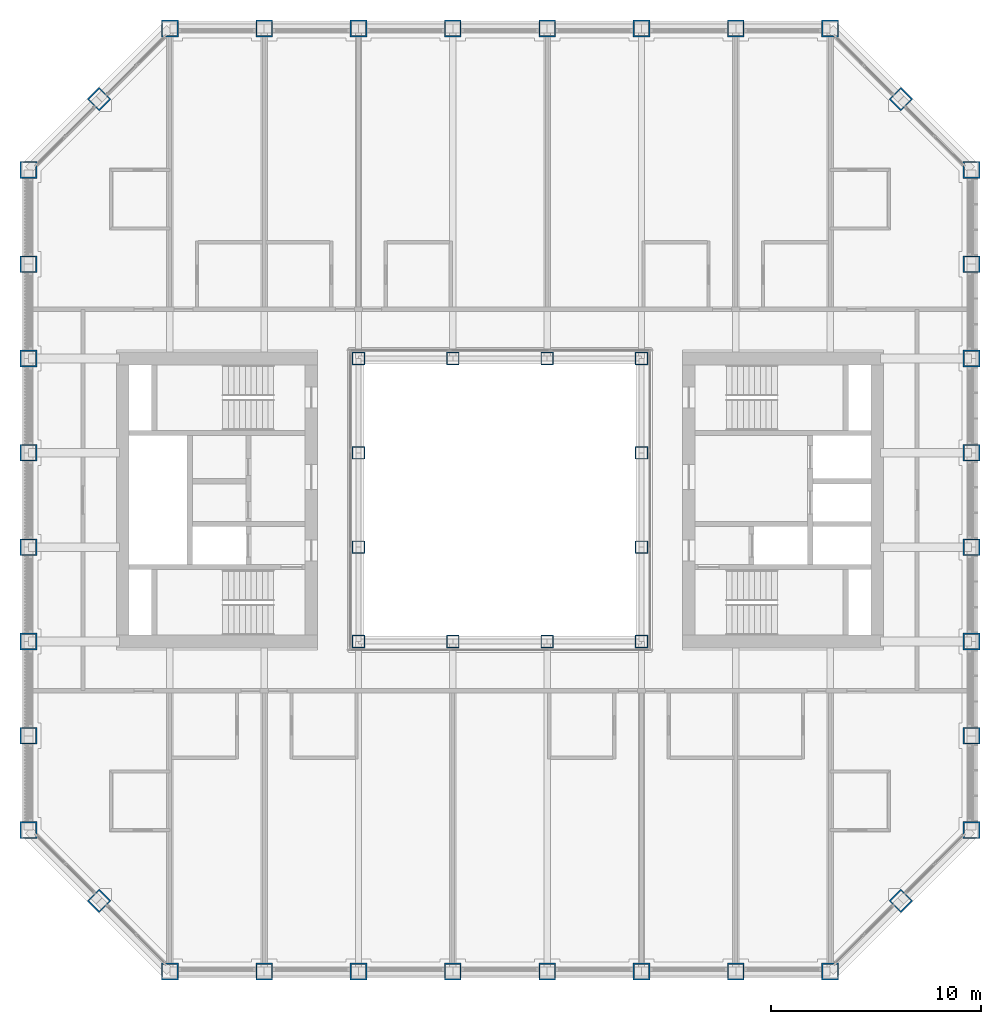
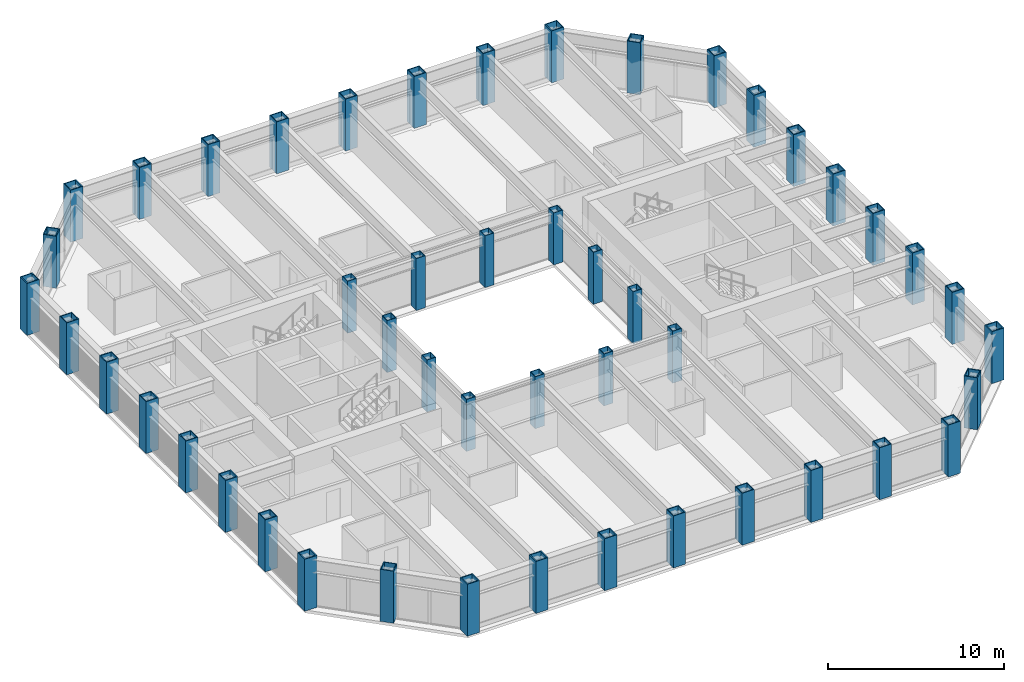
# One storey, part 1 of 17: 48 columns.
"""IFC4 building model written with IfcOpenShell, lengths in metres."""

import ifcopenshell
import ifcopenshell.guid

model = None  # the IFC model being written
_history = None  # IfcOwnerHistory: only IFC2X3 demands one
_inside = {}  # id of a spatial element -> (the spatial element, [elements in it])
_under = {}  # id of a project, library or spatial element -> (it, [spatial elements below it])
_declared = {}  # id of a project -> (the project, [libraries it declares])
_typed = {}  # id of a type object -> (the type object, [elements of that type])
_made_of = {}  # id of a material, layer set ... -> (it, [elements and type objects made of it])


def new_model(schema):
    """Start an empty IFC model of exactly this schema.

    Asked for "IFC4X3", IfcOpenShell would pick the latest addendum, in which some entities
    have other attributes; the version numbers below select the first issue.
    IFC2X3 requires an IfcOwnerHistory on every rooted entity: one is made here for all.
    """
    global model, _history
    if schema == "IFC4X3":
        model = ifcopenshell.file(schema_version=(4, 3, 0, 0))
    else:
        model = ifcopenshell.file(schema=schema)
    _inside.clear()
    _under.clear()
    _declared.clear()
    _typed.clear()
    _made_of.clear()
    _history = None
    if model.schema == "IFC2X3":
        org = make("IfcOrganization", Name="unknown")
        user = make(
            "IfcPersonAndOrganization",
            ThePerson=make("IfcPerson", FamilyName="unknown"),
            TheOrganization=org,
        )
        app = make(
            "IfcApplication",
            ApplicationDeveloper=org,
            Version="unknown",
            ApplicationFullName="unknown",
            ApplicationIdentifier="unknown",
        )
        _history = make(
            "IfcOwnerHistory",
            OwningUser=user,
            OwningApplication=app,
            ChangeAction="ADDED",
            CreationDate=0,
        )
    return model


def make(cls, **values):
    """One entity of the class cls with the attributes given. An attribute that is None is left unset."""
    return model.create_entity(
        cls, **{name: value for name, value in values.items() if value is not None}
    )


def rooted(cls, **values):
    """An entity with a GlobalId (a new one), such as an element, a storey or a relation."""
    return make(cls, GlobalId=ifcopenshell.guid.new(), OwnerHistory=_history, **values)


def si_unit(unit_type, name, prefix=None):
    """IfcSIUnit, for example si_unit("LENGTHUNIT", "METRE", prefix="MILLI")."""
    return make("IfcSIUnit", UnitType=unit_type, Prefix=prefix, Name=name)


def assignment(units):
    """IfcUnitAssignment: the units of a project."""
    return None if units is None else make("IfcUnitAssignment", Units=units)


def point(xyz):
    """IfcCartesianPoint."""
    return None if xyz is None else make("IfcCartesianPoint", Coordinates=xyz)


def direction(xyz):
    """IfcDirection."""
    return None if xyz is None else make("IfcDirection", DirectionRatios=xyz)


def frame(location, z_axis=None, x_axis=None):
    """IfcAxis2Placement3D, a coordinate frame: its origin and axes. An axis left out is left unset."""
    return make(
        "IfcAxis2Placement3D",
        Location=point(location),
        Axis=direction(z_axis),
        RefDirection=direction(x_axis),
    )


def frame_2d(location, x_axis=None):
    """IfcAxis2Placement2D, a coordinate frame in the plane: its origin and x axis."""
    return make(
        "IfcAxis2Placement2D", Location=point(location), RefDirection=direction(x_axis)
    )


def origin():
    """The frame at (0, 0, 0) with its axes left unset."""
    return frame((0.0, 0.0, 0.0))


def origin_2d():
    """The frame at (0, 0) in the plane with its x axis left unset."""
    return frame_2d((0.0, 0.0))


def place(relative_to, where):
    """IfcLocalPlacement: puts the frame where relative to a parent placement (None: the world)."""
    return make(
        "IfcLocalPlacement", PlacementRelTo=relative_to, RelativePlacement=where
    )


def context(
    kind, dimensions, precision=None, world=None, true_north=None, identifier=None
):
    """IfcGeometricRepresentationContext, for example the 3D "Model" context."""
    return make(
        "IfcGeometricRepresentationContext",
        ContextIdentifier=identifier,
        ContextType=kind,
        CoordinateSpaceDimension=dimensions,
        Precision=precision,
        WorldCoordinateSystem=world,
        TrueNorth=true_north,
    )


def subcontext(parent, identifier, kind, view, scale=None):
    """IfcGeometricRepresentationSubContext, for example "Body" below "Model"."""
    return make(
        "IfcGeometricRepresentationSubContext",
        ContextIdentifier=identifier,
        ContextType=kind,
        ParentContext=parent,
        TargetScale=scale,
        TargetView=view,
    )


def project(units=None, contexts=None):
    """IfcProject with its units and contexts."""
    return rooted(
        "IfcProject",
        Name="project",
        RepresentationContexts=contexts,
        UnitsInContext=assignment(units),
    )


def spatial(cls, under=None, at=None, **own):
    """A site, building, storey or space (cls), placed at a placement, below another one or the project."""
    s = rooted(cls, ObjectPlacement=at, **own)
    if under is not None:
        _under.setdefault(under.id(), (under, []))[1].append(s)
    return s


def profile(cls, at=None, kind="AREA", **sizes):
    """A parametric profile (cls). Its sizes go by their IFC names, for example OverallWidth=200.0."""
    return make(cls, ProfileType=kind, Position=at, **sizes)


def hollow_rectangle(**sizes):
    """IfcRectangleHollowProfileDef."""
    return profile("IfcRectangleHollowProfileDef", **sizes)


def extrude(swept, where, along, depth):
    """IfcExtrudedAreaSolid: the profile swept, set in the frame where, extruded along a direction by depth."""
    return make(
        "IfcExtrudedAreaSolid",
        SweptArea=swept,
        Position=where,
        ExtrudedDirection=direction(along),
        Depth=depth,
    )


def shape(context_of_items, identifier, shape_type, items):
    """IfcShapeRepresentation: the items that make up one representation, for example the "Body"."""
    return make(
        "IfcShapeRepresentation",
        ContextOfItems=context_of_items,
        RepresentationIdentifier=identifier,
        RepresentationType=shape_type,
        Items=items,
    )


def material(Name=None, Category=None):
    """IfcMaterial."""
    return make("IfcMaterial", Name=Name, Category=Category)


def material_profile(
    of_material, cross_section, Name=None, Category=None, Priority=None
):
    """IfcMaterialProfile: a cross section and its material."""
    return make(
        "IfcMaterialProfile",
        Name=Name,
        Material=of_material,
        Profile=cross_section,
        Priority=Priority,
        Category=Category,
    )


def profile_set(profiles, Name=None, composite=None):
    """IfcMaterialProfileSet."""
    return make(
        "IfcMaterialProfileSet",
        Name=Name,
        MaterialProfiles=profiles,
        CompositeProfile=composite,
    )


def made_of(thing, what):
    """Note that an element or type object is made of a material, layer set ...; save() writes the relation."""
    if what is not None:
        _made_of.setdefault(what.id(), (what, []))[1].append(thing)
    return thing


def type_object(cls, material=None, **own):
    """A type object (cls), such as IfcWallType, which elements share."""
    return made_of(rooted(cls, **own), material)


def element(
    cls,
    number,
    at=None,
    inside=None,
    cuts=None,
    type_object=None,
    material=None,
    context=None,
    identifier="Body",
    shape_type=None,
    held_by="IfcProductDefinitionShape",
    body=None,
    shapes=None,
    **own,
):
    """One element of the class cls, such as IfcWall. Its Tag is "e" and its number.

    at: its placement. inside: the storey or other place that contains it. cuts: it is an
    opening in that element (IfcRelVoidsElement). A single representation is given by context,
    identifier, shape_type and body (its items); several are given by shapes. held_by: the class
    of the entity that holds the representations. save() writes the other relations.
    """
    e = rooted(cls, Tag="e%d" % number, ObjectPlacement=at, **own)
    if body is not None:
        shapes = [shape(context, identifier, shape_type, body)]
    if shapes is not None:
        e.Representation = make(held_by, Representations=shapes)
    if inside is not None:
        _inside.setdefault(inside.id(), (inside, []))[1].append(e)
    if cuts is not None:
        rooted(
            "IfcRelVoidsElement", RelatingBuildingElement=cuts, RelatedOpeningElement=e
        )
    if type_object is not None:
        _typed.setdefault(type_object.id(), (type_object, []))[1].append(e)
    return made_of(e, material)


def aggregate(whole, parts):
    """IfcRelAggregates: a whole, such as a stair, and the parts it consists of."""
    return rooted("IfcRelAggregates", RelatingObject=whole, RelatedObjects=parts)


def save(model, path):
    """Write the relations noted so far, then the file.

    IfcRelAggregates (storeys below a building ...), IfcRelContainedInSpatialStructure (elements
    in a storey), IfcRelDefinesByType, IfcRelAssociatesMaterial and IfcRelDeclares: one each for
    every whole, place, type object, material and project.
    """
    for whole, parts in _under.values():
        aggregate(whole, parts)
    for where, things in _inside.values():
        rooted(
            "IfcRelContainedInSpatialStructure",
            RelatedElements=things,
            RelatingStructure=where,
        )
    for kind, things in _typed.values():
        rooted("IfcRelDefinesByType", RelatedObjects=things, RelatingType=kind)
    for what, things in _made_of.values():
        rooted("IfcRelAssociatesMaterial", RelatedObjects=things, RelatingMaterial=what)
    for by, libraries in _declared.values():
        rooted("IfcRelDeclares", RelatingContext=by, RelatedDefinitions=libraries)
    model.write(path)


model = new_model("IFC4")

# Units and contexts
model_context = context("Model", 3, precision=1e-05, world=origin(), true_north=direction((0.0, 1.0)))
body_context = subcontext(model_context, "Body", "Model", "MODEL_VIEW")
ifc_project = project(units=[si_unit("LENGTHUNIT", "METRE"), si_unit("AREAUNIT", "SQUARE_METRE"), si_unit("VOLUMEUNIT", "CUBIC_METRE"), si_unit("PLANEANGLEUNIT", "RADIAN"), si_unit("MASSUNIT", "GRAM", prefix="KILO")], contexts=[model_context])

# Site, building, storey
site_placement = place(None, origin())
site = spatial("IfcSite", under=ifc_project, at=site_placement, CompositionType="ELEMENT")
building_placement = place(site_placement, origin())
building = spatial("IfcBuilding", under=site, at=building_placement, Name="Msasa Ring Tower", CompositionType="ELEMENT")
storey_placement = place(building_placement, frame((0.0, 0.0, 132.800048828125)))
storey = spatial("IfcBuildingStorey", under=building, at=storey_placement, Name="L34", CompositionType="ELEMENT", Elevation=132.800048828125)

# Columns
ifc_material_1 = material(Name="Steel S355", Category="steel")
ifc_material_profile_1 = material_profile(ifc_material_1, hollow_rectangle(XDim=0.60009765625, YDim=0.60009765625, WallThickness=0.0400390625, at=origin_2d()), Name="BOX 600x600x40")
ifc_profile_set_1 = profile_set([ifc_material_profile_1], Name="Steel S355")
column_type_1 = type_object("IfcColumnType", Name="IC4 BOX 600x600x40", PredefinedType="COLUMN", material=ifc_profile_set_1)
for number, where, z_axis, x_axis, name in (
    (1, (-6.75, -6.75, 0.0), (0.0, 0.0, 1.0), (1.0, 0.0, 0.0), "Inner ring column IR-6.75-6.75 L34"),
    (2, (-6.75, -2.25, 0.0), (0.0, 0.0, 1.0), (1.0, 0.0, 0.0), "Inner ring column IR-6.75-2.25 L34"),
    (3, (-6.75, 2.25, 0.0), (0.0, 0.0, 1.0), (1.0, 0.0, 0.0), "Inner ring column IR-6.75+2.25 L34"),
    (4, (-6.75, 6.75, 0.0), (0.0, 0.0, 1.0), (1.0, 0.0, 0.0), "Inner ring column IR-6.75+6.75 L34"),
    (5, (-2.25, -6.75, 0.0), (0.0, 0.0, 1.0), (1.0, 0.0, 0.0), "Inner ring column IR-2.25-6.75 L34"),
    (6, (-2.25, 6.75, 0.0), (0.0, 0.0, 1.0), (1.0, 0.0, 0.0), "Inner ring column IR-2.25+6.75 L34"),
    (7, (2.25, -6.75, 0.0), (0.0, 0.0, 1.0), (1.0, 0.0, 0.0), "Inner ring column IR+2.25-6.75 L34"),
    (8, (2.25, 6.75, 0.0), (0.0, 0.0, 1.0), (1.0, 0.0, 0.0), "Inner ring column IR+2.25+6.75 L34"),
    (9, (6.75, -6.75, 0.0), (0.0, 0.0, 1.0), (1.0, 0.0, 0.0), "Inner ring column IR+6.75-6.75 L34"),
    (10, (6.75, -2.25, 0.0), (0.0, 0.0, 1.0), (1.0, 0.0, 0.0), "Inner ring column IR+6.75-2.25 L34"),
    (11, (6.75, 2.25, 0.0), (0.0, 0.0, 1.0), (1.0, 0.0, 0.0), "Inner ring column IR+6.75+2.25 L34"),
    (12, (6.75, 6.75, 0.0), (0.0, 0.0, 1.0), (1.0, 0.0, 0.0), "Inner ring column IR+6.75+6.75 L34"),
):
    element("IfcColumn", number, at=place(storey_placement, frame(where, z_axis=z_axis, x_axis=x_axis)), inside=storey, type_object=column_type_1, Name=name, PredefinedType="COLUMN", context=body_context, shape_type="SweptSolid", body=[
        extrude(hollow_rectangle(XDim=0.60009765625, YDim=0.60009765625, WallThickness=0.0400390625, at=origin_2d()), origin(), (0.0, 0.0, 1.0), 3.599853515625),
    ])
ifc_material_2 = material(Name="Steel S355", Category="steel")
ifc_material_profile_2 = material_profile(ifc_material_2, hollow_rectangle(XDim=0.800048828125, YDim=0.800048828125, WallThickness=0.06005859375, at=origin_2d()), Name="BOX 800x800x60")
ifc_profile_set_2 = profile_set([ifc_material_profile_2], Name="Steel S355")
column_type_2 = type_object("IfcColumnType", Name="TC3 BOX 800x800x60", PredefinedType="COLUMN", material=ifc_profile_set_2)
for number, where, z_axis, x_axis, name in (
    (13, (-15.75, -22.5, 0.0), (0.0, 0.0, 1.0), (0.0, 1.0, 0.0), "Tube column S-15.75 L34"),
    (14, (-15.75, 22.5, 0.0), (0.0, 0.0, 1.0), (0.0, 1.0, 0.0), "Tube column N-15.75 L34"),
    (15, (22.5, -15.75, 0.0), (0.0, 0.0, 1.0), (1.0, 0.0, 0.0), "Tube column E-15.75 L34"),
    (16, (-22.5, -15.75, 0.0), (0.0, 0.0, 1.0), (1.0, 0.0, 0.0), "Tube column W-15.75 L34"),
    (17, (-11.25, -22.5, 0.0), (0.0, 0.0, 1.0), (0.0, 1.0, 0.0), "Tube column S-11.25 L34"),
    (18, (-11.25, 22.5, 0.0), (0.0, 0.0, 1.0), (0.0, 1.0, 0.0), "Tube column N-11.25 L34"),
    (19, (22.5, -11.25, 0.0), (0.0, 0.0, 1.0), (1.0, 0.0, 0.0), "Tube column E-11.25 L34"),
    (20, (-22.5, -11.25, 0.0), (0.0, 0.0, 1.0), (1.0, 0.0, 0.0), "Tube column W-11.25 L34"),
    (21, (-6.75, -22.5, 0.0), (0.0, 0.0, 1.0), (0.0, 1.0, 0.0), "Tube column S-6.75 L34"),
    (22, (-6.75, 22.5, 0.0), (0.0, 0.0, 1.0), (0.0, 1.0, 0.0), "Tube column N-6.75 L34"),
    (23, (22.5, -6.75, 0.0), (0.0, 0.0, 1.0), (1.0, 0.0, 0.0), "Tube column E-6.75 L34"),
    (24, (-22.5, -6.75, 0.0), (0.0, 0.0, 1.0), (1.0, 0.0, 0.0), "Tube column W-6.75 L34"),
    (25, (-2.25, -22.5, 0.0), (0.0, 0.0, 1.0), (0.0, 1.0, 0.0), "Tube column S-2.25 L34"),
    (26, (-2.25, 22.5, 0.0), (0.0, 0.0, 1.0), (0.0, 1.0, 0.0), "Tube column N-2.25 L34"),
    (27, (22.5, -2.25, 0.0), (0.0, 0.0, 1.0), (1.0, 0.0, 0.0), "Tube column E-2.25 L34"),
    (28, (-22.5, -2.25, 0.0), (0.0, 0.0, 1.0), (1.0, 0.0, 0.0), "Tube column W-2.25 L34"),
    (29, (2.25, -22.5, 0.0), (0.0, 0.0, 1.0), (0.0, 1.0, 0.0), "Tube column S+2.25 L34"),
    (30, (2.25, 22.5, 0.0), (0.0, 0.0, 1.0), (0.0, 1.0, 0.0), "Tube column N+2.25 L34"),
    (31, (22.5, 2.25, 0.0), (0.0, 0.0, 1.0), (1.0, 0.0, 0.0), "Tube column E+2.25 L34"),
    (32, (-22.5, 2.25, 0.0), (0.0, 0.0, 1.0), (1.0, 0.0, 0.0), "Tube column W+2.25 L34"),
    (33, (6.75, -22.5, 0.0), (0.0, 0.0, 1.0), (0.0, 1.0, 0.0), "Tube column S+6.75 L34"),
    (34, (6.75, 22.5, 0.0), (0.0, 0.0, 1.0), (0.0, 1.0, 0.0), "Tube column N+6.75 L34"),
    (35, (22.5, 6.75, 0.0), (0.0, 0.0, 1.0), (1.0, 0.0, 0.0), "Tube column E+6.75 L34"),
    (36, (-22.5, 6.75, 0.0), (0.0, 0.0, 1.0), (1.0, 0.0, 0.0), "Tube column W+6.75 L34"),
    (37, (11.25, -22.5, 0.0), (0.0, 0.0, 1.0), (0.0, 1.0, 0.0), "Tube column S+11.25 L34"),
    (38, (11.25, 22.5, 0.0), (0.0, 0.0, 1.0), (0.0, 1.0, 0.0), "Tube column N+11.25 L34"),
    (39, (22.5, 11.25, 0.0), (0.0, 0.0, 1.0), (1.0, 0.0, 0.0), "Tube column E+11.25 L34"),
    (40, (-22.5, 11.25, 0.0), (0.0, 0.0, 1.0), (1.0, 0.0, 0.0), "Tube column W+11.25 L34"),
    (41, (15.75, -22.5, 0.0), (0.0, 0.0, 1.0), (0.0, 1.0, 0.0), "Tube column S+15.75 L34"),
    (42, (15.75, 22.5, 0.0), (0.0, 0.0, 1.0), (0.0, 1.0, 0.0), "Tube column N+15.75 L34"),
    (43, (22.5, 15.75, 0.0), (0.0, 0.0, 1.0), (1.0, 0.0, 0.0), "Tube column E+15.75 L34"),
    (44, (-22.5, 15.75, 0.0), (0.0, 0.0, 1.0), (1.0, 0.0, 0.0), "Tube column W+15.75 L34"),
    (45, (19.125, -19.125, 0.0), (0.0, 0.0, 1.0), (0.707106781187, -0.707106781187, 0.0), "Tube column SE L34"),
    (46, (19.125, 19.125, 0.0), (0.0, 0.0, 1.0), (0.707106781187, 0.707106781187, 0.0), "Tube column NE L34"),
    (47, (-19.125, 19.125, 0.0), (0.0, 0.0, 1.0), (0.707106781187, -0.707106781187, 0.0), "Tube column NW L34"),
    (48, (-19.125, -19.125, 0.0), (0.0, 0.0, 1.0), (0.707106781187, 0.707106781187, 0.0), "Tube column SW L34"),
):
    element("IfcColumn", number, at=place(storey_placement, frame(where, z_axis=z_axis, x_axis=x_axis)), inside=storey, type_object=column_type_2, Name=name, PredefinedType="COLUMN", context=body_context, shape_type="SweptSolid", body=[
        extrude(hollow_rectangle(XDim=0.800048828125, YDim=0.800048828125, WallThickness=0.06005859375, at=origin_2d()), origin(), (0.0, 0.0, 1.0), 3.599853515625),
    ])

save(model, "model.ifc")
